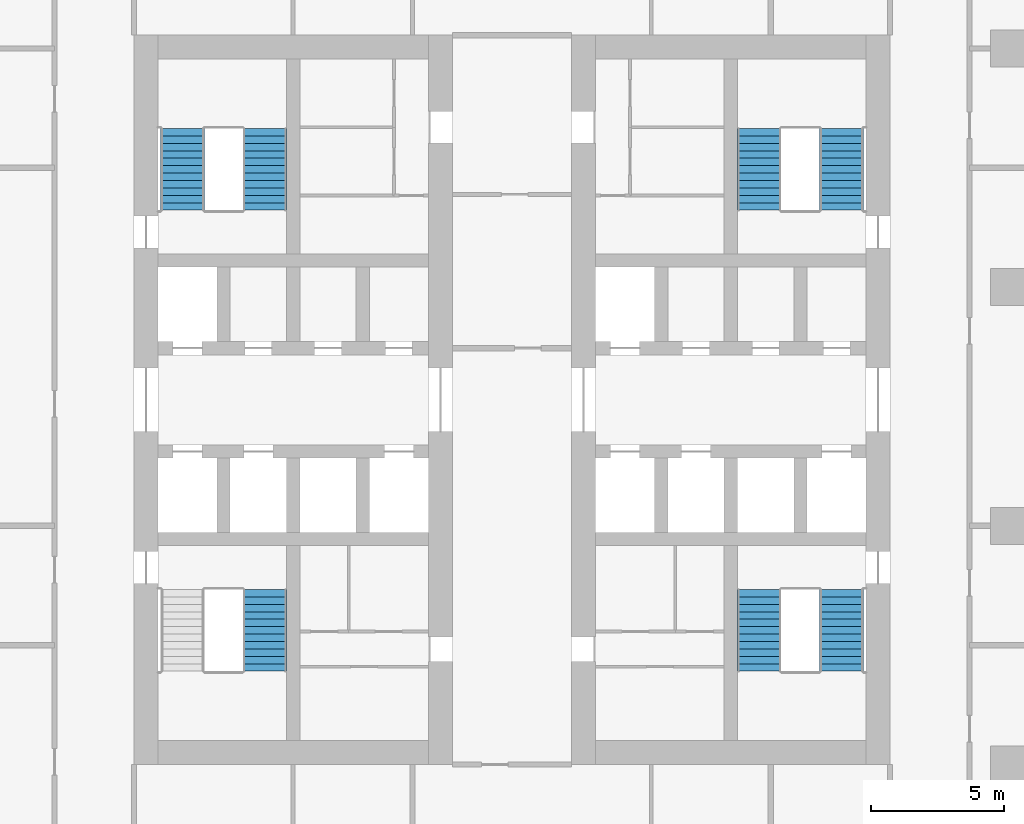
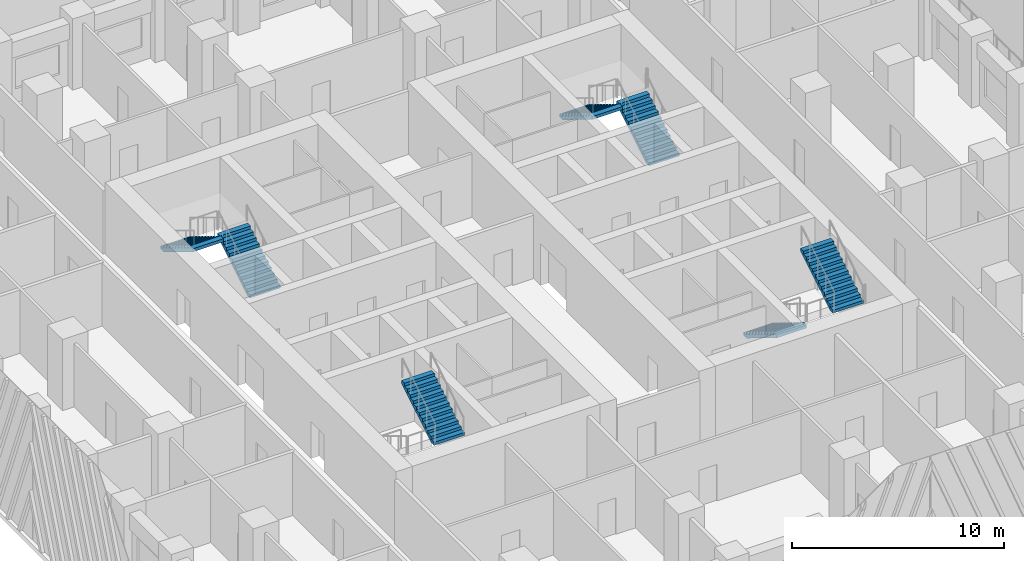
# One storey, part 10 of 20: 7 stair flights, 4 elements without a shape of their own.
"""IFC4 building model written with IfcOpenShell, lengths in metres."""

from ifc_helpers import new_model, si_unit, direction, frame, origin, place, context, subcontext, project, spatial, polyline, outline, extrude, material, type_object, element, aggregate, save


model = new_model("IFC4")

# Units and contexts
model_context = context("Model", 3, precision=1e-05, world=origin(), true_north=direction((0.0, 1.0)))
body_context = subcontext(model_context, "Body", "Model", "MODEL_VIEW")
ifc_project = project(units=[si_unit("LENGTHUNIT", "METRE"), si_unit("AREAUNIT", "SQUARE_METRE"), si_unit("VOLUMEUNIT", "CUBIC_METRE"), si_unit("PLANEANGLEUNIT", "RADIAN"), si_unit("MASSUNIT", "GRAM", prefix="KILO")], contexts=[model_context])

# Site, building, storey
site_placement = place(None, origin())
site = spatial("IfcSite", under=ifc_project, at=site_placement, CompositionType="ELEMENT")
building_placement = place(site_placement, origin())
building = spatial("IfcBuilding", under=site, at=building_placement, Name="Corbel Stack Research Tower", CompositionType="ELEMENT")
storey_placement = place(building_placement, frame((0.0, 0.0, 98.39990234375)))
storey = spatial("IfcBuildingStorey", under=building, at=storey_placement, Name="L22", CompositionType="ELEMENT", Elevation=98.39990234375)

# Stair, stair flight
ifc_material_1 = material(Name="Concrete C40/50", Category="concrete")
stair_type = type_object("IfcStairType", Name="Exit stair 24 risers", PredefinedType="HALF_TURN_STAIR", material=ifc_material_1)
stair_1_placement = place(storey_placement, origin())
stair_1 = element("IfcStair", 1, at=stair_1_placement, inside=storey, type_object=stair_type, Name="L22 Exit stair ST-W1", PredefinedType="HALF_TURN_STAIR")
ifc_material_2 = material(Name="Concrete C40/50", Category="concrete")
stair_flight_type = type_object("IfcStairFlightType", Name="Stair flight 12 risers", PredefinedType="STRAIGHT", material=ifc_material_2)
stair_flight_1_placement = place(storey_placement, frame((-5.574951171875, -5.47998046875, 2.050048828125), z_axis=(0.0, 0.0, 1.0), x_axis=(0.0, 1.0, 0.0)))
stair_flight_1 = element("IfcStairFlight", 2, at=stair_flight_1_placement, type_object=stair_flight_type, Name="ST-W1 flight 2", NumberOfRisers=12, NumberOfTreads=11, PredefinedType="STRAIGHT", RiserHeight=0.170833333, TreadLength=0.28, context=body_context, shape_type="SweptSolid", body=[
    extrude(outline(polyline([(0.0, 0.0), (0.0, 0.1708984375), (0.280029296875, 0.1708984375), (0.280029296875, 0.341552734375), (0.56005859375, 0.341552734375), (0.56005859375, 0.512451171875), (0.840087890625, 0.512451171875), (0.840087890625, 0.683349609375), (1.1201171875, 0.683349609375), (1.1201171875, 0.854248046875), (1.39990234375, 0.854248046875), (1.39990234375, 1.02490234375), (1.679931640625, 1.02490234375), (1.679931640625, 1.19580078125), (1.9599609375, 1.19580078125), (1.9599609375, 1.36669921875), (2.239990234375, 1.36669921875), (2.239990234375, 1.53759765625), (2.52001953125, 1.53759765625), (2.52001953125, 1.708251953125), (2.800048828125, 1.708251953125), (2.800048828125, 1.879150390625), (3.080078125, 1.879150390625), (3.080078125, 2.050048828125), (3.080078125, 1.70361328125), (0.287841796875, 0.0), (0.0, 0.0)])), frame((0.0, 0.824951171875, 0.0), z_axis=(0.0, -1.0, 0.0), x_axis=(1.0, 0.0, 0.0)), (0.0, 0.0, 1.0), 1.64990234375),
])
aggregate(stair_1, [stair_flight_1])

# Stair, stair flights
stair_2_placement = place(storey_placement, origin())
stair_2 = element("IfcStair", 3, at=stair_2_placement, inside=storey, type_object=stair_type, Name="L22 Exit stair ST-W2", PredefinedType="HALF_TURN_STAIR")
stair_flight_2_placement = place(storey_placement, frame((-5.574951171875, 11.89990234375, 0.0), z_axis=(0.0, 0.0, 1.0), x_axis=(0.0, 1.0, 0.0)))
stair_flight_2 = element("IfcStairFlight", 4, at=stair_flight_2_placement, type_object=stair_flight_type, Name="ST-W2 flight 1", NumberOfRisers=12, NumberOfTreads=11, PredefinedType="STRAIGHT", RiserHeight=0.170833333, TreadLength=0.28, context=body_context, shape_type="SweptSolid", body=[
    extrude(outline(polyline([(0.0, 0.0), (0.0, 0.1708984375), (0.280029296875, 0.1708984375), (0.280029296875, 0.341552734375), (0.56005859375, 0.341552734375), (0.56005859375, 0.512451171875), (0.840087890625, 0.512451171875), (0.840087890625, 0.683349609375), (1.1201171875, 0.683349609375), (1.1201171875, 0.854248046875), (1.39990234375, 0.854248046875), (1.39990234375, 1.02490234375), (1.679931640625, 1.02490234375), (1.679931640625, 1.19580078125), (1.9599609375, 1.19580078125), (1.9599609375, 1.36669921875), (2.239990234375, 1.36669921875), (2.239990234375, 1.53759765625), (2.52001953125, 1.53759765625), (2.52001953125, 1.708251953125), (2.800048828125, 1.708251953125), (2.800048828125, 1.879150390625), (3.080078125, 1.879150390625), (3.080078125, 2.050048828125), (3.080078125, 1.70361328125), (0.287841796875, 0.0), (0.0, 0.0)])), frame((0.0, 0.824951171875, 0.0), z_axis=(0.0, -1.0, 0.0), x_axis=(1.0, 0.0, 0.0)), (0.0, 0.0, 1.0), 1.64990234375),
])
stair_flight_3_placement = place(storey_placement, frame((-8.675048828125, 14.97998046875, 2.050048828125), z_axis=(0.0, 0.0, 1.0), x_axis=(0.0, -1.0, 0.0)))
stair_flight_3 = element("IfcStairFlight", 5, at=stair_flight_3_placement, type_object=stair_flight_type, Name="ST-W2 flight 2", NumberOfRisers=12, NumberOfTreads=11, PredefinedType="STRAIGHT", RiserHeight=0.170833333, TreadLength=0.28, context=body_context, shape_type="SweptSolid", body=[
    extrude(outline(polyline([(0.0, 0.0), (0.0, 0.1708984375), (0.280029296875, 0.1708984375), (0.280029296875, 0.341552734375), (0.56005859375, 0.341552734375), (0.56005859375, 0.512451171875), (0.840087890625, 0.512451171875), (0.840087890625, 0.683349609375), (1.1201171875, 0.683349609375), (1.1201171875, 0.854248046875), (1.39990234375, 0.854248046875), (1.39990234375, 1.02490234375), (1.679931640625, 1.02490234375), (1.679931640625, 1.19580078125), (1.9599609375, 1.19580078125), (1.9599609375, 1.36669921875), (2.239990234375, 1.36669921875), (2.239990234375, 1.53759765625), (2.52001953125, 1.53759765625), (2.52001953125, 1.708251953125), (2.800048828125, 1.708251953125), (2.800048828125, 1.879150390625), (3.080078125, 1.879150390625), (3.080078125, 2.050048828125), (3.080078125, 1.70361328125), (0.287841796875, 0.0), (0.0, 0.0)])), frame((0.0, 0.824951171875, 0.0), z_axis=(0.0, -1.0, 0.0), x_axis=(1.0, 0.0, 0.0)), (0.0, 0.0, 1.0), 1.64990234375),
])
aggregate(stair_2, [stair_flight_2, stair_flight_3])

stair_3_placement = place(storey_placement, origin())
stair_3 = element("IfcStair", 6, at=stair_3_placement, inside=storey, type_object=stair_type, Name="L22 Exit stair ST-E1", PredefinedType="HALF_TURN_STAIR")
stair_flight_4_placement = place(storey_placement, frame((13.074951171875, -2.39990234375, 0.0), z_axis=(0.0, 0.0, 1.0), x_axis=(0.0, -1.0, 0.0)))
stair_flight_4 = element("IfcStairFlight", 7, at=stair_flight_4_placement, type_object=stair_flight_type, Name="ST-E1 flight 1", NumberOfRisers=12, NumberOfTreads=11, PredefinedType="STRAIGHT", RiserHeight=0.170833333, TreadLength=0.28, context=body_context, shape_type="SweptSolid", body=[
    extrude(outline(polyline([(0.0, 0.0), (0.0, 0.1708984375), (0.280029296875, 0.1708984375), (0.280029296875, 0.341552734375), (0.56005859375, 0.341552734375), (0.56005859375, 0.512451171875), (0.840087890625, 0.512451171875), (0.840087890625, 0.683349609375), (1.1201171875, 0.683349609375), (1.1201171875, 0.854248046875), (1.39990234375, 0.854248046875), (1.39990234375, 1.02490234375), (1.679931640625, 1.02490234375), (1.679931640625, 1.19580078125), (1.9599609375, 1.19580078125), (1.9599609375, 1.36669921875), (2.239990234375, 1.36669921875), (2.239990234375, 1.53759765625), (2.52001953125, 1.53759765625), (2.52001953125, 1.708251953125), (2.800048828125, 1.708251953125), (2.800048828125, 1.879150390625), (3.080078125, 1.879150390625), (3.080078125, 2.050048828125), (3.080078125, 1.70361328125), (0.287841796875, 0.0), (0.0, 0.0)])), frame((0.0, 0.824951171875, 0.0), z_axis=(0.0, -1.0, 0.0), x_axis=(1.0, 0.0, 0.0)), (0.0, 0.0, 1.0), 1.64990234375),
])
stair_flight_5_placement = place(storey_placement, frame((16.175048828125, -5.47998046875, 2.050048828125), z_axis=(0.0, 0.0, 1.0), x_axis=(0.0, 1.0, 0.0)))
stair_flight_5 = element("IfcStairFlight", 8, at=stair_flight_5_placement, type_object=stair_flight_type, Name="ST-E1 flight 2", NumberOfRisers=12, NumberOfTreads=11, PredefinedType="STRAIGHT", RiserHeight=0.170833333, TreadLength=0.28, context=body_context, shape_type="SweptSolid", body=[
    extrude(outline(polyline([(0.0, 0.0), (0.0, 0.1708984375), (0.280029296875, 0.1708984375), (0.280029296875, 0.341552734375), (0.56005859375, 0.341552734375), (0.56005859375, 0.512451171875), (0.840087890625, 0.512451171875), (0.840087890625, 0.683349609375), (1.1201171875, 0.683349609375), (1.1201171875, 0.854248046875), (1.39990234375, 0.854248046875), (1.39990234375, 1.02490234375), (1.679931640625, 1.02490234375), (1.679931640625, 1.19580078125), (1.9599609375, 1.19580078125), (1.9599609375, 1.36669921875), (2.239990234375, 1.36669921875), (2.239990234375, 1.53759765625), (2.52001953125, 1.53759765625), (2.52001953125, 1.708251953125), (2.800048828125, 1.708251953125), (2.800048828125, 1.879150390625), (3.080078125, 1.879150390625), (3.080078125, 2.050048828125), (3.080078125, 1.70361328125), (0.287841796875, 0.0), (0.0, 0.0)])), frame((0.0, 0.824951171875, 0.0), z_axis=(0.0, -1.0, 0.0), x_axis=(1.0, 0.0, 0.0)), (0.0, 0.0, 1.0), 1.64990234375),
])
aggregate(stair_3, [stair_flight_4, stair_flight_5])

stair_4_placement = place(storey_placement, origin())
stair_4 = element("IfcStair", 9, at=stair_4_placement, inside=storey, type_object=stair_type, Name="L22 Exit stair ST-E2", PredefinedType="HALF_TURN_STAIR")
stair_flight_6_placement = place(storey_placement, frame((16.175048828125, 11.89990234375, 0.0), z_axis=(0.0, 0.0, 1.0), x_axis=(0.0, 1.0, 0.0)))
stair_flight_6 = element("IfcStairFlight", 10, at=stair_flight_6_placement, type_object=stair_flight_type, Name="ST-E2 flight 1", NumberOfRisers=12, NumberOfTreads=11, PredefinedType="STRAIGHT", RiserHeight=0.170833333, TreadLength=0.28, context=body_context, shape_type="SweptSolid", body=[
    extrude(outline(polyline([(0.0, 0.0), (0.0, 0.1708984375), (0.280029296875, 0.1708984375), (0.280029296875, 0.341552734375), (0.56005859375, 0.341552734375), (0.56005859375, 0.512451171875), (0.840087890625, 0.512451171875), (0.840087890625, 0.683349609375), (1.1201171875, 0.683349609375), (1.1201171875, 0.854248046875), (1.39990234375, 0.854248046875), (1.39990234375, 1.02490234375), (1.679931640625, 1.02490234375), (1.679931640625, 1.19580078125), (1.9599609375, 1.19580078125), (1.9599609375, 1.36669921875), (2.239990234375, 1.36669921875), (2.239990234375, 1.53759765625), (2.52001953125, 1.53759765625), (2.52001953125, 1.708251953125), (2.800048828125, 1.708251953125), (2.800048828125, 1.879150390625), (3.080078125, 1.879150390625), (3.080078125, 2.050048828125), (3.080078125, 1.70361328125), (0.287841796875, 0.0), (0.0, 0.0)])), frame((0.0, 0.824951171875, 0.0), z_axis=(0.0, -1.0, 0.0), x_axis=(1.0, 0.0, 0.0)), (0.0, 0.0, 1.0), 1.64990234375),
])
stair_flight_7_placement = place(storey_placement, frame((13.074951171875, 14.97998046875, 2.050048828125), z_axis=(0.0, 0.0, 1.0), x_axis=(0.0, -1.0, 0.0)))
stair_flight_7 = element("IfcStairFlight", 11, at=stair_flight_7_placement, type_object=stair_flight_type, Name="ST-E2 flight 2", NumberOfRisers=12, NumberOfTreads=11, PredefinedType="STRAIGHT", RiserHeight=0.170833333, TreadLength=0.28, context=body_context, shape_type="SweptSolid", body=[
    extrude(outline(polyline([(0.0, 0.0), (0.0, 0.1708984375), (0.280029296875, 0.1708984375), (0.280029296875, 0.341552734375), (0.56005859375, 0.341552734375), (0.56005859375, 0.512451171875), (0.840087890625, 0.512451171875), (0.840087890625, 0.683349609375), (1.1201171875, 0.683349609375), (1.1201171875, 0.854248046875), (1.39990234375, 0.854248046875), (1.39990234375, 1.02490234375), (1.679931640625, 1.02490234375), (1.679931640625, 1.19580078125), (1.9599609375, 1.19580078125), (1.9599609375, 1.36669921875), (2.239990234375, 1.36669921875), (2.239990234375, 1.53759765625), (2.52001953125, 1.53759765625), (2.52001953125, 1.708251953125), (2.800048828125, 1.708251953125), (2.800048828125, 1.879150390625), (3.080078125, 1.879150390625), (3.080078125, 2.050048828125), (3.080078125, 1.70361328125), (0.287841796875, 0.0), (0.0, 0.0)])), frame((0.0, 0.824951171875, 0.0), z_axis=(0.0, -1.0, 0.0), x_axis=(1.0, 0.0, 0.0)), (0.0, 0.0, 1.0), 1.64990234375),
])
aggregate(stair_4, [stair_flight_6, stair_flight_7])

save(model, "model.ifc")
